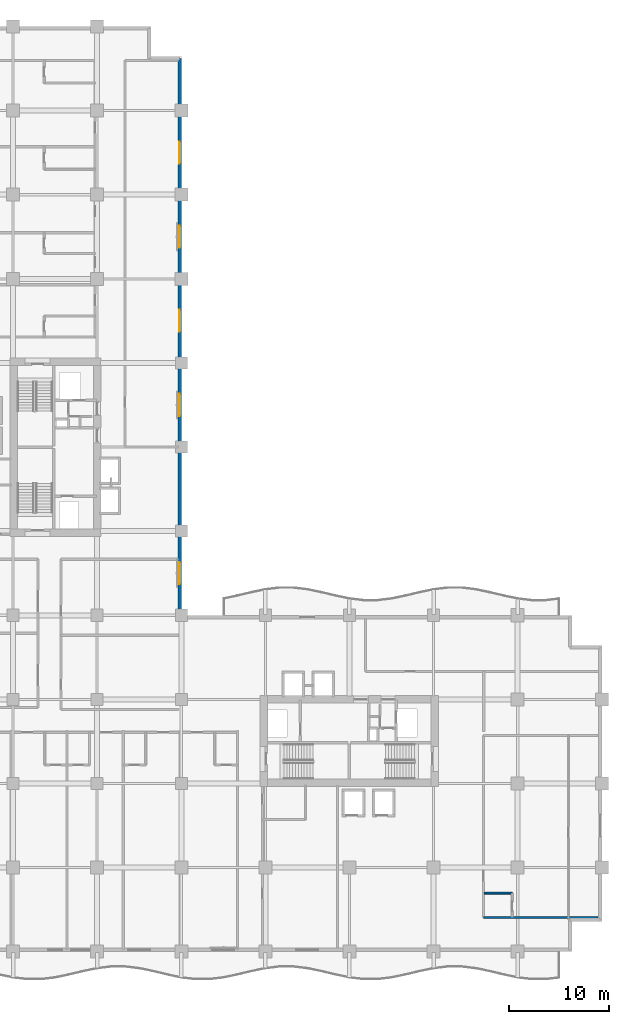
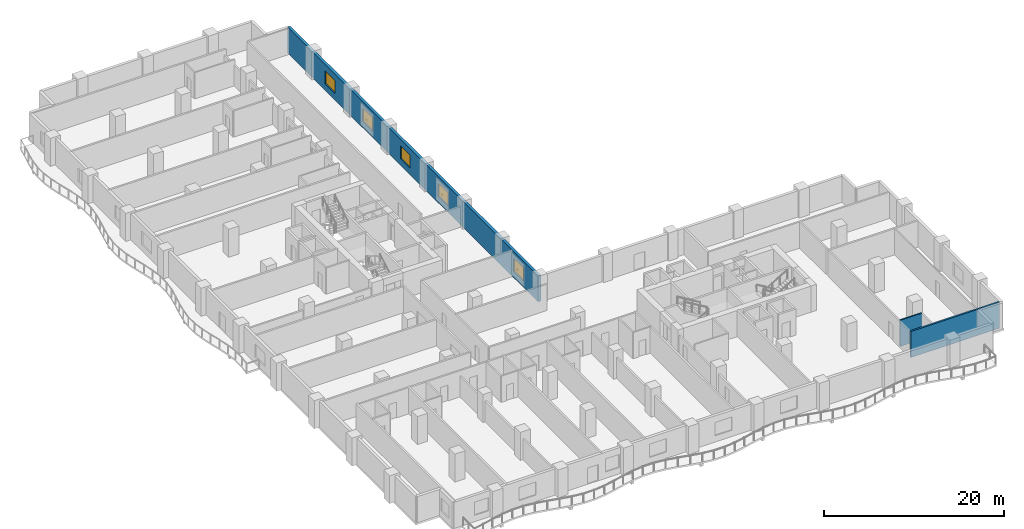
# One storey, part 9 of 17: 5 windows, 3 walls, 5 openings.
"""IFC4 building model written with IfcOpenShell, lengths in metres."""

from ifc_helpers import new_model, si_unit, direction, frame, frame_2d, origin, place, context, subcontext, project, spatial, rectangle, extrude, material, layer, layer_set, type_object, element, fill, save


model = new_model("IFC4")

# Units and contexts
model_context = context("Model", 3, precision=1e-05, world=origin(), true_north=direction((0.0, 1.0)))
body_context = subcontext(model_context, "Body", "Model", "MODEL_VIEW")
ifc_project = project(units=[si_unit("LENGTHUNIT", "METRE"), si_unit("AREAUNIT", "SQUARE_METRE"), si_unit("VOLUMEUNIT", "CUBIC_METRE"), si_unit("PLANEANGLEUNIT", "RADIAN"), si_unit("MASSUNIT", "GRAM", prefix="KILO")], contexts=[model_context])

# Site, building, storey
site_placement = place(None, origin())
site = spatial("IfcSite", under=ifc_project, at=site_placement, CompositionType="ELEMENT")
building_placement = place(site_placement, origin())
building = spatial("IfcBuilding", under=site, at=building_placement, Name="Koriwani Terraces Tower", CompositionType="ELEMENT")
storey_placement = place(building_placement, frame((0.0, 0.0, 122.800048828125)))
storey = spatial("IfcBuildingStorey", under=building, at=storey_placement, Name="L29", CompositionType="ELEMENT", Elevation=122.800048828125)

# Wall
ifc_material_1 = material(Name="Autoclaved Cellular Concrete Blockwork", Category="masonry")
ifc_layer_1 = layer(ifc_material_1, 0.219970703125, Name="Autoclaved Cellular Concrete Blockwork")
ifc_layer_set_1 = layer_set([ifc_layer_1], Name="Autoclaved Cellular Concrete Blockwork")
wall_type_1 = type_object("IfcWallType", Name="WALL_DEMISING_220", PredefinedType="PARTITIONING", material=ifc_layer_set_1)
wall_1_placement = place(storey_placement, frame((63.800048828125, 3.39990234375, 0.0), z_axis=(0.0, 0.0, 1.0), x_axis=(1.0, 0.0, 0.0)))
element("IfcWall", 1, at=wall_1_placement, inside=storey, type_object=wall_type_1, Name="L29 Interior Wall WGB-L29-SETIP-S", PredefinedType="PARTITIONING", context=body_context, shape_type="SweptSolid", body=[
    extrude(rectangle(XDim=11.419921875, YDim=0.219970703125, at=frame_2d((5.7099609375, 0.0))), origin(), (0.0, 0.0, 1.0), 3.550048828125),
])

# Wall, openings, windows
ifc_material_2 = material(Name="Concrete C50/60", Category="concrete")
ifc_layer_2 = layer(ifc_material_2, 0.35009765625, Name="Concrete C50/60")
ifc_layer_set_2 = layer_set([ifc_layer_2], Name="Concrete C50/60")
wall_type_2 = type_object("IfcWallType", Name="WALL_EXT_BRUTALIST_350", PredefinedType="STANDARD", material=ifc_layer_set_2)
wall_2_placement = place(storey_placement, frame((33.425048828125, 89.22509765625, 0.0), z_axis=(0.0, 0.0, 1.0), x_axis=(0.0, -1.0, 0.0)))
wall_2 = element("IfcWall", 2, at=wall_2_placement, inside=storey, type_object=wall_type_2, Name="L29 Fair-Faced Brutalist Exterior Wall (NW_IN)", PredefinedType="STANDARD", context=body_context, shape_type="SweptSolid", body=[
    extrude(rectangle(XDim=55.800048828125, YDim=0.35009765625, at=frame_2d((27.89990234375, 0.0))), origin(), (0.0, 0.0, 1.0), 3.550048828125),
])
opening_1_placement = place(wall_2_placement, frame((50.324951171875, 0.0, 0.85009765625)))
opening_1 = element("IfcOpeningElement", 3, at=opening_1_placement, cuts=wall_2, Name="Opening W-01", PredefinedType="OPENING", context=body_context, shape_type="SweptSolid", body=[
    extrude(rectangle(XDim=2.199951171875, YDim=1.800048828125, at=frame_2d((1.10009765625, 0.89990234375))), frame((0.0, 0.18505859375, 0.0), z_axis=(0.0, -1.0, 0.0), x_axis=(1.0, 0.0, 0.0)), (0.0, 0.0, 1.0), 0.3701171875),
])
opening_2_placement = place(wall_2_placement, frame((33.52490234375, 0.0, 0.85009765625)))
opening_2 = element("IfcOpeningElement", 4, at=opening_2_placement, cuts=wall_2, Name="Opening W-01", PredefinedType="OPENING", context=body_context, shape_type="SweptSolid", body=[
    extrude(rectangle(XDim=2.199951171875, YDim=1.800048828125, at=frame_2d((1.10009765625, 0.89990234375))), frame((0.0, 0.18505859375, 0.0), z_axis=(0.0, -1.0, 0.0), x_axis=(1.0, 0.0, 0.0)), (0.0, 0.0, 1.0), 0.3701171875),
])
opening_3_placement = place(wall_2_placement, frame((25.125, 0.0, 0.85009765625)))
opening_3 = element("IfcOpeningElement", 5, at=opening_3_placement, cuts=wall_2, Name="Opening W-01", PredefinedType="OPENING", context=body_context, shape_type="SweptSolid", body=[
    extrude(rectangle(XDim=2.199951171875, YDim=1.800048828125, at=frame_2d((1.10009765625, 0.89990234375))), frame((0.0, 0.18505859375, 0.0), z_axis=(0.0, -1.0, 0.0), x_axis=(1.0, 0.0, 0.0)), (0.0, 0.0, 1.0), 0.3701171875),
])
opening_4_placement = place(wall_2_placement, frame((16.72509765625, 0.0, 0.85009765625)))
opening_4 = element("IfcOpeningElement", 6, at=opening_4_placement, cuts=wall_2, Name="Opening W-01", PredefinedType="OPENING", context=body_context, shape_type="SweptSolid", body=[
    extrude(rectangle(XDim=2.199951171875, YDim=1.800048828125, at=frame_2d((1.10009765625, 0.89990234375))), frame((0.0, 0.18505859375, 0.0), z_axis=(0.0, -1.0, 0.0), x_axis=(1.0, 0.0, 0.0)), (0.0, 0.0, 1.0), 0.3701171875),
])
opening_5_placement = place(wall_2_placement, frame((8.324951171875, 0.0, 0.85009765625)))
opening_5 = element("IfcOpeningElement", 7, at=opening_5_placement, cuts=wall_2, Name="Opening W-01", PredefinedType="OPENING", context=body_context, shape_type="SweptSolid", body=[
    extrude(rectangle(XDim=2.199951171875, YDim=1.800048828125, at=frame_2d((1.10009765625, 0.89990234375))), frame((0.0, 0.18505859375, 0.0), z_axis=(0.0, -1.0, 0.0), x_axis=(1.0, 0.0, 0.0)), (0.0, 0.0, 1.0), 0.3701171875),
])
ifc_material_3 = material(Name="Tempered Laminated Low-E Glass", Category="glass")
window_type = type_object("IfcWindowType", Name="WIN_HOTEL_STD_2200X1800", PartitioningType="DOUBLE_PANEL_VERTICAL", PredefinedType="WINDOW", material=ifc_material_3)
window_1_placement = place(opening_1_placement, origin())
window_1 = element("IfcWindow", 8, at=window_1_placement, inside=storey, type_object=window_type, Name="L29 Exterior Window (NW_IN-2)", OverallHeight=1.800048828125, OverallWidth=2.199951171875, PartitioningType="SINGLE_PANEL", PredefinedType="WINDOW", context=body_context, shape_type="SweptSolid", body=[
    extrude(rectangle(XDim=2.199951171875, YDim=1.800048828125, at=frame_2d((1.10009765625, 0.89990234375))), frame((0.0, 0.030029296875, 0.0), z_axis=(0.0, -1.0, 0.0), x_axis=(1.0, 0.0, 0.0)), (0.0, 0.0, 1.0), 0.06005859375),
])
fill(opening_1, window_1)
window_2_placement = place(opening_2_placement, origin())
window_2 = element("IfcWindow", 9, at=window_2_placement, inside=storey, type_object=window_type, Name="L29 Exterior Window (NW_IN-8)", OverallHeight=1.800048828125, OverallWidth=2.199951171875, PartitioningType="SINGLE_PANEL", PredefinedType="WINDOW", context=body_context, shape_type="SweptSolid", body=[
    extrude(rectangle(XDim=2.199951171875, YDim=1.800048828125, at=frame_2d((1.10009765625, 0.89990234375))), frame((0.0, 0.030029296875, 0.0), z_axis=(0.0, -1.0, 0.0), x_axis=(1.0, 0.0, 0.0)), (0.0, 0.0, 1.0), 0.06005859375),
])
fill(opening_2, window_2)
window_3_placement = place(opening_3_placement, origin())
window_3 = element("IfcWindow", 10, at=window_3_placement, inside=storey, type_object=window_type, Name="L29 Exterior Window (NW_IN-11)", OverallHeight=1.800048828125, OverallWidth=2.199951171875, PartitioningType="SINGLE_PANEL", PredefinedType="WINDOW", context=body_context, shape_type="SweptSolid", body=[
    extrude(rectangle(XDim=2.199951171875, YDim=1.800048828125, at=frame_2d((1.10009765625, 0.89990234375))), frame((0.0, 0.030029296875, 0.0), z_axis=(0.0, -1.0, 0.0), x_axis=(1.0, 0.0, 0.0)), (0.0, 0.0, 1.0), 0.06005859375),
])
fill(opening_3, window_3)
window_4_placement = place(opening_4_placement, origin())
window_4 = element("IfcWindow", 11, at=window_4_placement, inside=storey, type_object=window_type, Name="L29 Exterior Window (NW_IN-14)", OverallHeight=1.800048828125, OverallWidth=2.199951171875, PartitioningType="SINGLE_PANEL", PredefinedType="WINDOW", context=body_context, shape_type="SweptSolid", body=[
    extrude(rectangle(XDim=2.199951171875, YDim=1.800048828125, at=frame_2d((1.10009765625, 0.89990234375))), frame((0.0, 0.030029296875, 0.0), z_axis=(0.0, -1.0, 0.0), x_axis=(1.0, 0.0, 0.0)), (0.0, 0.0, 1.0), 0.06005859375),
])
fill(opening_4, window_4)
window_5_placement = place(opening_5_placement, origin())
window_5 = element("IfcWindow", 12, at=window_5_placement, inside=storey, type_object=window_type, Name="L29 Exterior Window (NW_IN-17)", OverallHeight=1.800048828125, OverallWidth=2.199951171875, PartitioningType="SINGLE_PANEL", PredefinedType="WINDOW", context=body_context, shape_type="SweptSolid", body=[
    extrude(rectangle(XDim=2.199951171875, YDim=1.800048828125, at=frame_2d((1.10009765625, 0.89990234375))), frame((0.0, 0.030029296875, 0.0), z_axis=(0.0, -1.0, 0.0), x_axis=(1.0, 0.0, 0.0)), (0.0, 0.0, 1.0), 0.06005859375),
])
fill(opening_5, window_5)

# Wall
ifc_material_4 = material(Name="Fire-Rated Acoustic Gypsum Partition", Category="masonry")
ifc_layer_3 = layer(ifc_material_4, 0.179931640625, Name="Fire-Rated Acoustic Gypsum Partition")
ifc_layer_set_3 = layer_set([ifc_layer_3], Name="Fire-Rated Acoustic Gypsum Partition")
wall_type_3 = type_object("IfcWallType", Name="WALL_PLUMBING_180", PredefinedType="PLUMBINGWALL", material=ifc_layer_set_3)
wall_3_placement = place(storey_placement, frame((63.85009765625, 5.85009765625, 0.0), z_axis=(0.0, 0.0, 1.0), x_axis=(1.0, 0.0, 0.0)))
element("IfcWall", 13, at=wall_3_placement, inside=storey, type_object=wall_type_3, Name="L29 Interior Wall WGB-L29-SETIP-SV2", PredefinedType="PLUMBINGWALL", context=body_context, shape_type="SweptSolid", body=[
    extrude(rectangle(XDim=2.7998046875, YDim=0.179931640625, at=frame_2d((1.39990234375, 0.0))), origin(), (0.0, 0.0, 1.0), 3.550048828125),
])

save(model, "model.ifc")
